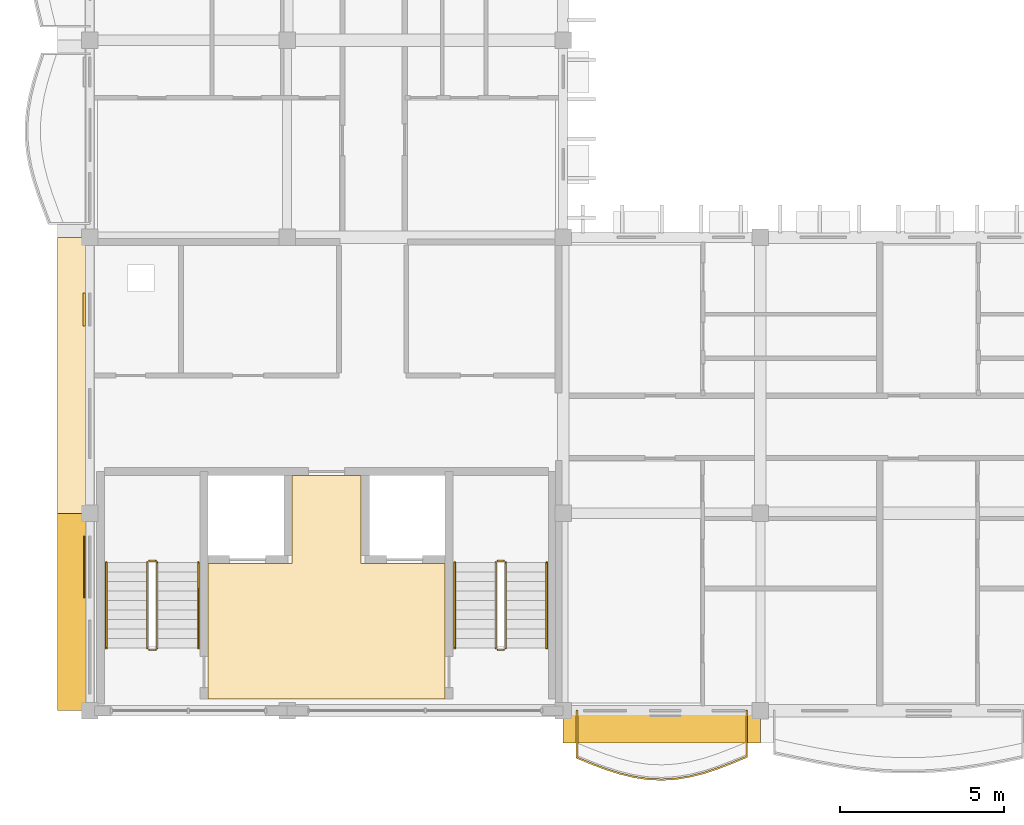
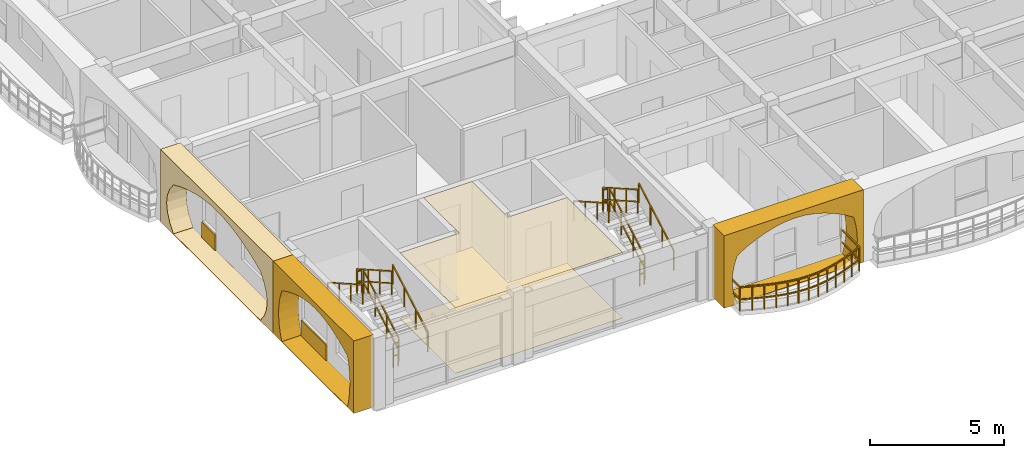
# One storey, part 39 of 66: 13 railings, 7 coverings.
"""IFC4 building model written with IfcOpenShell, lengths in metres."""

from ifc_helpers import new_model, si_unit, direction, frame, origin, origin_2d, place, context, subcontext, project, spatial, polyline, rectangle, outline, extrude, material, layer, layer_set, type_object, element, save


model = new_model("IFC4")

# Units and contexts
model_context = context("Model", 3, precision=1e-05, world=origin(), true_north=direction((0.0, 1.0)))
body_context = subcontext(model_context, "Body", "Model", "MODEL_VIEW")
ifc_project = project(units=[si_unit("LENGTHUNIT", "METRE"), si_unit("AREAUNIT", "SQUARE_METRE"), si_unit("VOLUMEUNIT", "CUBIC_METRE"), si_unit("PLANEANGLEUNIT", "RADIAN"), si_unit("MASSUNIT", "GRAM", prefix="KILO"), si_unit("THERMODYNAMICTEMPERATUREUNIT", "KELVIN")], contexts=[model_context])

# Site, building, storey
site_placement = place(None, origin())
site = spatial("IfcSite", under=ifc_project, at=site_placement, CompositionType="ELEMENT")
building_placement = place(site_placement, origin())
building = spatial("IfcBuilding", under=site, at=building_placement, Name="Thalorik Housing Commons", CompositionType="ELEMENT")
storey_placement = place(building_placement, frame((0.0, 0.0, 21.300048828125)))
storey = spatial("IfcBuildingStorey", under=building, at=storey_placement, Name="L06", CompositionType="ELEMENT", Elevation=21.300048828125)

# Coverings
ifc_material_1 = material(Name="Precast concrete C40/50", Category="concrete")
ifc_layer_1 = layer(ifc_material_1, 0.85009765625, Name="Precast concrete C40/50", Category="concrete")
ifc_layer_set_1 = layer_set([ifc_layer_1], Name="Precast concrete C40/50")
covering_type_1 = type_object("IfcCoveringType", Name="ARC-CLD-CUSH-850", PredefinedType="CLADDING", material=ifc_layer_set_1)
covering_1_placement = place(storey_placement, frame((7.844970703125, 18.60009765625, 0.0), z_axis=(0.0, 0.0, 1.0), x_axis=(0.0, -1.0, 0.0)))
element("IfcCovering", 1, at=covering_1_placement, inside=storey, type_object=covering_type_1, Name="L06 White Precast Curved Cushion Bay Frame 4085", PredefinedType="CLADDING", context=body_context, shape_type="SweptSolid", body=[
    extrude(outline(polyline([(-4.199951171875, 0.0), (4.199951171875, 0.0), (4.199951171875, 3.300048828125), (-4.199951171875, 3.300048828125), (-4.199951171875, 0.0)]), holes=[polyline([(3.239990234375, 0.02490234375), (3.523193359375, 0.3974609375), (3.693359375, 0.77001953125), (3.75, 1.142578125), (3.693359375, 1.514892578125), (3.523193359375, 1.887451171875), (3.239990234375, 2.260009765625), (2.699951171875, 2.497314453125), (2.159912109375, 2.683837890625), (1.6201171875, 2.8349609375), (1.080078125, 2.947265625), (0.5400390625, 3.0166015625), (0.0, 3.0400390625), (-0.5400390625, 3.0166015625), (-1.080078125, 2.947265625), (-1.6201171875, 2.8349609375), (-2.159912109375, 2.683837890625), (-2.699951171875, 2.497314453125), (-3.239990234375, 2.260009765625), (-3.523193359375, 1.887451171875), (-3.693359375, 1.514892578125), (-3.75, 1.142578125), (-3.693359375, 0.77001953125), (-3.523193359375, 0.3974609375), (-3.239990234375, 0.02490234375), (3.239990234375, 0.02490234375)])]), frame((0.0, 0.425048828125, 0.0), z_axis=(0.0, -1.0, 0.0), x_axis=(1.0, 0.0, 0.0)), (0.0, 0.0, 1.0), 0.85009765625),
])
covering_2_placement = place(storey_placement, frame((7.844970703125, 11.39990234375, 0.0), z_axis=(0.0, 0.0, 1.0), x_axis=(0.0, -1.0, 0.0)))
element("IfcCovering", 2, at=covering_2_placement, inside=storey, type_object=covering_type_1, Name="L06 White Precast Curved Cushion Bay Frame 4087", PredefinedType="CLADDING", context=body_context, shape_type="SweptSolid", body=[
    extrude(outline(polyline([(-3.0, 0.0), (3.0, 0.0), (3.0, 3.300048828125), (-3.0, 3.300048828125), (-3.0, 0.0)]), holes=[polyline([(2.5400390625, 0.02490234375), (2.63720703125, 0.410888671875), (2.6953125, 0.796630859375), (2.71484375, 1.1826171875), (2.6953125, 1.568359375), (2.63720703125, 1.9541015625), (2.5400390625, 2.340087890625), (2.131591796875, 2.552978515625), (1.723388671875, 2.720458984375), (1.31494140625, 2.85595703125), (0.90673828125, 2.956787109375), (0.498291015625, 3.01904296875), (0.090087890625, 3.0400390625), (-0.318359375, 3.01904296875), (-0.726806640625, 2.956787109375), (-1.135009765625, 2.85595703125), (-1.543212890625, 2.720458984375), (-1.95166015625, 2.552978515625), (-2.360107421875, 2.340087890625), (-2.4951171875, 1.9541015625), (-2.576171875, 1.568359375), (-2.603271484375, 1.1826171875), (-2.576171875, 0.796630859375), (-2.4951171875, 0.410888671875), (-2.360107421875, 0.02490234375), (2.5400390625, 0.02490234375)])]), frame((0.0, 0.425048828125, 0.0), z_axis=(0.0, -1.0, 0.0), x_axis=(1.0, 0.0, 0.0)), (0.0, 0.0, 1.0), 0.85009765625),
])
covering_3_placement = place(storey_placement, frame((25.800048828125, 7.844970703125, 0.0), z_axis=(0.0, 0.0, 1.0), x_axis=(1.0, 0.0, 0.0)))
element("IfcCovering", 3, at=covering_3_placement, inside=storey, type_object=covering_type_1, Name="L06 White Precast Curved Cushion Bay Frame 4089", PredefinedType="CLADDING", context=body_context, shape_type="SweptSolid", body=[
    extrude(outline(polyline([(-3.0, 0.0), (3.0, 0.0), (3.0, 3.300048828125), (-3.0, 3.300048828125), (-3.0, 0.0)]), holes=[polyline([(2.577392578125, 0.02490234375), (2.666748046875, 0.387451171875), (2.72021484375, 0.75), (2.738037109375, 1.112548828125), (2.72021484375, 1.47509765625), (2.666748046875, 1.83740234375), (2.577392578125, 2.199951171875), (2.16015625, 2.455810546875), (1.742919921875, 2.656494140625), (1.32568359375, 2.819091796875), (0.908203125, 2.940185546875), (0.490966796875, 3.014892578125), (0.07373046875, 3.0400390625), (-0.343505859375, 3.014892578125), (-0.7607421875, 2.940185546875), (-1.177978515625, 2.819091796875), (-1.595458984375, 2.656494140625), (-2.0126953125, 2.455810546875), (-2.429931640625, 2.199951171875), (-2.55029296875, 1.83740234375), (-2.62255859375, 1.47509765625), (-2.646484375, 1.112548828125), (-2.62255859375, 0.75), (-2.55029296875, 0.387451171875), (-2.429931640625, 0.02490234375), (2.577392578125, 0.02490234375)])]), frame((0.0, 0.425048828125, 0.0), z_axis=(0.0, -1.0, 0.0), x_axis=(1.0, 0.0, 0.0)), (0.0, 0.0, 1.0), 0.85009765625),
])
ifc_material_2 = material(Name="Terracotta red mineral fibre-cement panel", Category="masonry")
ifc_layer_2 = layer(ifc_material_2, 0.054931640625, Name="Terracotta red mineral fibre-cement panel", Category="masonry")
ifc_layer_set_2 = layer_set([ifc_layer_2], Name="Terracotta red mineral fibre-cement panel")
covering_type_2 = type_object("IfcCoveringType", Name="ARC-CLD-RED-55", PredefinedType="CLADDING", material=ifc_layer_set_2)
covering_4_placement = place(storey_placement, frame((8.237548828125, 12.77001953125, 0.0498046875), z_axis=(0.0, 0.0, 1.0), x_axis=(0.0, -1.0, 0.0)))
element("IfcCovering", 4, at=covering_4_placement, inside=storey, type_object=covering_type_2, Name="L06 De Stijl Recessed Window Spandrel 4088", PredefinedType="CLADDING", context=body_context, shape_type="SweptSolid", body=[
    extrude(rectangle(XDim=1.8798828125, YDim=0.054931640625, at=origin_2d()), origin(), (0.0, 0.0, 1.0), 0.699951171875),
])
ifc_material_3 = material(Name="Mineral ochre architectural terracotta panel", Category="masonry")
ifc_layer_3 = layer(ifc_material_3, 0.06494140625, Name="Mineral ochre architectural terracotta panel", Category="masonry")
ifc_layer_set_3 = layer_set([ifc_layer_3], Name="Mineral ochre architectural terracotta panel")
covering_type_3 = type_object("IfcCoveringType", Name="ARC-CLD-YEL-65", PredefinedType="CLADDING", material=ifc_layer_set_3)
covering_5_placement = place(storey_placement, frame((8.232421875, 20.60498046875, 0.0498046875), z_axis=(0.0, 0.0, 1.0), x_axis=(0.0, -1.0, 0.0)))
element("IfcCovering", 5, at=covering_5_placement, inside=storey, type_object=covering_type_3, Name="L06 De Stijl Recessed Window Spandrel 4086", PredefinedType="CLADDING", context=body_context, shape_type="SweptSolid", body=[
    extrude(rectangle(XDim=1.0, YDim=0.06494140625, at=origin_2d()), origin(), (0.0, 0.0, 1.0), 0.699951171875),
])
ifc_material_4 = material(Name="Perforated acoustic gypsum ceiling board")
ifc_layer_4 = layer(ifc_material_4, 0.014892578125, Name="Perforated acoustic gypsum ceiling board")
ifc_layer_set_4 = layer_set([ifc_layer_4], Name="Perforated acoustic gypsum ceiling board")
covering_type_4 = type_object("IfcCoveringType", Name="ARC-COV-CEIL-01", PredefinedType="CEILING", material=ifc_layer_set_4)
covering_6_placement = place(storey_placement, frame((0.0, 0.0, 2.98486328125)))
element("IfcCovering", 6, at=covering_6_placement, inside=storey, type_object=covering_type_4, Name="L06 Block C Firefighting Lift Lobby Suspended Ceiling", PredefinedType="CEILING", context=body_context, shape_type="SweptSolid", body=[
    extrude(outline(polyline([(12.0, 12.8798828125), (12.0, 8.75), (19.199951171875, 8.75), (19.199951171875, 12.8798828125), (16.64990234375, 12.880126953125), (16.64990234375, 15.550048828125), (14.550048828125, 15.550048828125), (14.550048828125, 12.8798828125), (12.0, 12.8798828125)])), origin(), (0.0, 0.0, 1.0), 0.01513671875),
])
ifc_material_5 = material(Name="Glazed Recife ceramic apartment floor tile")
ifc_layer_5 = layer(ifc_material_5, 0.011962890625, Name="Glazed Recife ceramic apartment floor tile")
ifc_layer_set_5 = layer_set([ifc_layer_5], Name="Glazed Recife ceramic apartment floor tile")
covering_type_5 = type_object("IfcCoveringType", Name="ARC-COV-FLR-01", PredefinedType="FLOORING", material=ifc_layer_set_5)
covering_7_placement = place(storey_placement, origin())
element("IfcCovering", 7, at=covering_7_placement, inside=storey, type_object=covering_type_5, Name="L06 Block C Firefighting Lift Lobby Flooring", PredefinedType="FLOORING", context=body_context, shape_type="SweptSolid", body=[
    extrude(outline(polyline([(12.0, 12.8798828125), (12.0, 8.75), (19.199951171875, 8.75), (19.199951171875, 12.8798828125), (16.64990234375, 12.880126953125), (16.64990234375, 15.550048828125), (14.550048828125, 15.550048828125), (14.550048828125, 12.8798828125), (12.0, 12.8798828125)])), origin(), (0.0, 0.0, 1.0), 0.011962890625),
])

# Railings
ifc_material_6 = material(Name="Steel S355", Category="steel")
railing_type_1 = type_object("IfcRailingType", Name="ARC-RL-BAL-112", PredefinedType="BALUSTRADE", material=ifc_material_6)
railing_1_placement = place(storey_placement, frame((23.219970703125, 8.39990234375, 0.0)))
element("IfcRailing", 8, at=railing_1_placement, inside=storey, type_object=railing_type_1, Name="L06 Cushion Balcony Guardrail 296", PredefinedType="BALUSTRADE", context=body_context, shape_type="SweptSolid", body=[
    extrude(rectangle(XDim=0.050048828125, YDim=0.050048828125, at=origin_2d()), frame((0.0, 0.0, 1.09521484375), z_axis=(0.0, -1.0, 0.0), x_axis=(1.0, 0.0, 0.0)), (0.0, 0.0, 1.0), 1.43359375),
    extrude(rectangle(XDim=0.050048828125, YDim=0.050048828125, at=origin_2d()), frame((0.0, 0.0, 0.53515625), z_axis=(0.0, -1.0, 0.0), x_axis=(1.0, 0.0, 0.0)), (0.0, 0.0, 1.0), 1.43359375),
    extrude(rectangle(XDim=0.050048828125, YDim=0.050048828125, at=origin_2d()), frame((0.0, -1.43359375, 1.09521484375), z_axis=(0.925438093791, -0.37889884476, 0.0), x_axis=(0.37889884476, 0.925438093791, 0.0)), (0.0, 0.0, 1.0), 0.464599609375),
    extrude(rectangle(XDim=0.050048828125, YDim=0.050048828125, at=origin_2d()), frame((0.0, -1.43359375, 0.53515625), z_axis=(0.925438093791, -0.37889884476, 0.0), x_axis=(0.37889884476, 0.925438093791, 0.0)), (0.0, 0.0, 1.0), 0.464599609375),
    extrude(rectangle(XDim=0.050048828125, YDim=0.050048828125, at=origin_2d()), frame((0.429931640625, -1.609619140625, 1.09521484375), z_axis=(0.93576050096, -0.352636193324, 0.0), x_axis=(0.352636193324, 0.93576050096, 0.0)), (0.0, 0.0, 1.0), 0.459716796875),
    extrude(rectangle(XDim=0.050048828125, YDim=0.050048828125, at=origin_2d()), frame((0.429931640625, -1.609619140625, 0.53515625), z_axis=(0.93576050096, -0.352636193324, 0.0), x_axis=(0.352636193324, 0.93576050096, 0.0)), (0.0, 0.0, 1.0), 0.459716796875),
    extrude(rectangle(XDim=0.050048828125, YDim=0.050048828125, at=origin_2d()), frame((0.860107421875, -1.771728515625, 1.09521484375), z_axis=(0.95219157684, -0.305501556453, 0.0), x_axis=(0.305501556453, 0.95219157684, 0.0)), (0.0, 0.0, 1.0), 0.451416015625),
    extrude(rectangle(XDim=0.050048828125, YDim=0.050048828125, at=origin_2d()), frame((0.860107421875, -1.771728515625, 0.53515625), z_axis=(0.95219157684, -0.305501556453, 0.0), x_axis=(0.305501556453, 0.95219157684, 0.0)), (0.0, 0.0, 1.0), 0.451416015625),
    extrude(rectangle(XDim=0.050048828125, YDim=0.050048828125, at=origin_2d()), frame((1.2900390625, -1.90966796875, 1.09521484375), z_axis=(0.971585356615, -0.236689448034, 0.0), x_axis=(0.236689448034, 0.971585356615, 0.0)), (0.0, 0.0, 1.0), 0.442626953125),
    extrude(rectangle(XDim=0.050048828125, YDim=0.050048828125, at=origin_2d()), frame((1.2900390625, -1.90966796875, 0.53515625), z_axis=(0.971585356615, -0.236689448034, 0.0), x_axis=(0.236689448034, 0.971585356615, 0.0)), (0.0, 0.0, 1.0), 0.442626953125),
    extrude(rectangle(XDim=0.050048828125, YDim=0.050048828125, at=origin_2d()), frame((1.719970703125, -2.014404296875, 1.09521484375), z_axis=(0.988961040609, -0.148175774529, 0.0), x_axis=(0.148175774529, 0.988961040609, 0.0)), (0.0, 0.0, 1.0), 0.43505859375),
    extrude(rectangle(XDim=0.050048828125, YDim=0.050048828125, at=origin_2d()), frame((1.719970703125, -2.014404296875, 0.53515625), z_axis=(0.988961040609, -0.148175774529, 0.0), x_axis=(0.148175774529, 0.988961040609, 0.0)), (0.0, 0.0, 1.0), 0.43505859375),
    extrude(rectangle(XDim=0.050048828125, YDim=0.050048828125, at=origin_2d()), frame((2.150146484375, -2.078857421875, 1.09521484375), z_axis=(0.998917635712, -0.046514052316, 0.0), x_axis=(0.046514052316, 0.998917635712, 0.0)), (0.0, 0.0, 1.0), 0.430419921875),
    extrude(rectangle(XDim=0.050048828125, YDim=0.050048828125, at=origin_2d()), frame((2.150146484375, -2.078857421875, 0.53515625), z_axis=(0.998917635712, -0.046514052316, 0.0), x_axis=(0.046514052316, 0.998917635712, 0.0)), (0.0, 0.0, 1.0), 0.430419921875),
    extrude(rectangle(XDim=0.050048828125, YDim=0.050048828125, at=origin_2d()), frame((2.580078125, -2.098876953125, 1.09521484375), z_axis=(0.998193305076, 0.0600843216, 0.0), x_axis=(-0.0600843216, 0.998193305076, 0.0)), (0.0, 0.0, 1.0), 0.4306640625),
    extrude(rectangle(XDim=0.050048828125, YDim=0.050048828125, at=origin_2d()), frame((2.580078125, -2.098876953125, 0.53515625), z_axis=(0.998193305076, 0.0600843216, 0.0), x_axis=(-0.0600843216, 0.998193305076, 0.0)), (0.0, 0.0, 1.0), 0.4306640625),
    extrude(rectangle(XDim=0.050048828125, YDim=0.050048828125, at=origin_2d()), frame((3.010009765625, -2.072998046875, 1.09521484375), z_axis=(0.986978315282, 0.160853365409, 0.0), x_axis=(-0.160853365409, 0.986978315282, 0.0)), (0.0, 0.0, 1.0), 0.435546875),
    extrude(rectangle(XDim=0.050048828125, YDim=0.050048828125, at=origin_2d()), frame((3.010009765625, -2.072998046875, 0.53515625), z_axis=(0.986978315282, 0.160853365409, 0.0), x_axis=(-0.160853365409, 0.986978315282, 0.0)), (0.0, 0.0, 1.0), 0.435546875),
    extrude(rectangle(XDim=0.050048828125, YDim=0.050048828125, at=origin_2d()), frame((3.43994140625, -2.0029296875, 1.09521484375), z_axis=(0.968900882262, 0.247449147002, 0.0), x_axis=(-0.247449147002, 0.968900882262, 0.0)), (0.0, 0.0, 1.0), 0.444091796875),
    extrude(rectangle(XDim=0.050048828125, YDim=0.050048828125, at=origin_2d()), frame((3.43994140625, -2.0029296875, 0.53515625), z_axis=(0.968900882262, 0.247449147002, 0.0), x_axis=(-0.247449147002, 0.968900882262, 0.0)), (0.0, 0.0, 1.0), 0.444091796875),
    extrude(rectangle(XDim=0.050048828125, YDim=0.050048828125, at=origin_2d()), frame((3.8701171875, -1.89306640625, 1.09521484375), z_axis=(0.949167275855, 0.314772111925, 0.0), x_axis=(-0.314772111925, 0.949167275855, 0.0)), (0.0, 0.0, 1.0), 0.452880859375),
    extrude(rectangle(XDim=0.050048828125, YDim=0.050048828125, at=origin_2d()), frame((3.8701171875, -1.89306640625, 0.53515625), z_axis=(0.949167275855, 0.314772111925, 0.0), x_axis=(-0.314772111925, 0.949167275855, 0.0)), (0.0, 0.0, 1.0), 0.452880859375),
    extrude(rectangle(XDim=0.050048828125, YDim=0.050048828125, at=origin_2d()), frame((4.300048828125, -1.75048828125, 1.09521484375), z_axis=(0.9328669237, 0.360221185756, 0.0), x_axis=(-0.360221185756, 0.9328669237, 0.0)), (0.0, 0.0, 1.0), 0.4609375),
    extrude(rectangle(XDim=0.050048828125, YDim=0.050048828125, at=origin_2d()), frame((4.300048828125, -1.75048828125, 0.53515625), z_axis=(0.9328669237, 0.360221185756, 0.0), x_axis=(-0.360221185756, 0.9328669237, 0.0)), (0.0, 0.0, 1.0), 0.4609375),
    extrude(rectangle(XDim=0.050048828125, YDim=0.050048828125, at=origin_2d()), frame((4.72998046875, -1.58447265625, 1.09521484375), z_axis=(0.923402379286, 0.383833356978, 0.0), x_axis=(-0.383833356978, 0.923402379286, 0.0)), (0.0, 0.0, 1.0), 0.465576171875),
    extrude(rectangle(XDim=0.050048828125, YDim=0.050048828125, at=origin_2d()), frame((4.72998046875, -1.58447265625, 0.53515625), z_axis=(0.923402379286, 0.383833356978, 0.0), x_axis=(-0.383833356978, 0.923402379286, 0.0)), (0.0, 0.0, 1.0), 0.465576171875),
    extrude(rectangle(XDim=0.050048828125, YDim=0.050048828125, at=origin_2d()), frame((5.159912109375, -1.40576171875, 1.09521484375), z_axis=(0.0, 1.0, 0.0), x_axis=(-1.0, 0.0, 0.0)), (0.0, 0.0, 1.0), 1.40576171875),
    extrude(rectangle(XDim=0.050048828125, YDim=0.050048828125, at=origin_2d()), frame((5.159912109375, -1.40576171875, 0.53515625), z_axis=(0.0, 1.0, 0.0), x_axis=(-1.0, 0.0, 0.0)), (0.0, 0.0, 1.0), 1.40576171875),
    extrude(rectangle(XDim=0.0419921875, YDim=0.0419921875, at=origin_2d()), origin(), (0.0, 0.0, 1.0), 1.070068359375),
    extrude(rectangle(XDim=0.0419921875, YDim=0.0419921875, at=origin_2d()), frame((0.0, -1.43359375, 0.0)), (0.0, 0.0, 1.0), 1.070068359375),
    extrude(rectangle(XDim=0.0419921875, YDim=0.0419921875, at=origin_2d()), frame((0.429931640625, -1.609619140625, 0.0)), (0.0, 0.0, 1.0), 1.070068359375),
    extrude(rectangle(XDim=0.0419921875, YDim=0.0419921875, at=origin_2d()), frame((0.860107421875, -1.771728515625, 0.0)), (0.0, 0.0, 1.0), 1.070068359375),
    extrude(rectangle(XDim=0.0419921875, YDim=0.0419921875, at=origin_2d()), frame((1.2900390625, -1.90966796875, 0.0)), (0.0, 0.0, 1.0), 1.070068359375),
    extrude(rectangle(XDim=0.0419921875, YDim=0.0419921875, at=origin_2d()), frame((1.719970703125, -2.014404296875, 0.0)), (0.0, 0.0, 1.0), 1.070068359375),
    extrude(rectangle(XDim=0.0419921875, YDim=0.0419921875, at=origin_2d()), frame((2.150146484375, -2.078857421875, 0.0)), (0.0, 0.0, 1.0), 1.070068359375),
    extrude(rectangle(XDim=0.0419921875, YDim=0.0419921875, at=origin_2d()), frame((2.580078125, -2.098876953125, 0.0)), (0.0, 0.0, 1.0), 1.070068359375),
    extrude(rectangle(XDim=0.0419921875, YDim=0.0419921875, at=origin_2d()), frame((3.010009765625, -2.072998046875, 0.0)), (0.0, 0.0, 1.0), 1.070068359375),
    extrude(rectangle(XDim=0.0419921875, YDim=0.0419921875, at=origin_2d()), frame((3.43994140625, -2.0029296875, 0.0)), (0.0, 0.0, 1.0), 1.070068359375),
    extrude(rectangle(XDim=0.0419921875, YDim=0.0419921875, at=origin_2d()), frame((3.8701171875, -1.89306640625, 0.0)), (0.0, 0.0, 1.0), 1.070068359375),
    extrude(rectangle(XDim=0.0419921875, YDim=0.0419921875, at=origin_2d()), frame((4.300048828125, -1.75048828125, 0.0)), (0.0, 0.0, 1.0), 1.070068359375),
    extrude(rectangle(XDim=0.0419921875, YDim=0.0419921875, at=origin_2d()), frame((4.72998046875, -1.58447265625, 0.0)), (0.0, 0.0, 1.0), 1.070068359375),
    extrude(rectangle(XDim=0.0419921875, YDim=0.0419921875, at=origin_2d()), frame((5.159912109375, -1.40576171875, 0.0)), (0.0, 0.0, 1.0), 1.070068359375),
    extrude(rectangle(XDim=0.0419921875, YDim=0.0419921875, at=origin_2d()), frame((5.159912109375, 0.0, 0.0)), (0.0, 0.0, 1.0), 1.070068359375),
])
railing_type_2 = type_object("IfcRailingType", Name="ARC-RL-STR-GRD110", PredefinedType="GUARDRAIL", material=ifc_material_6)
railing_2_placement = place(storey_placement, frame((10.449951171875, 10.300048828125, 0.1650390625)))
element("IfcRailing", 9, at=railing_2_placement, inside=storey, type_object=railing_type_2, Name="L06 ST-C1 stair guard 1", PredefinedType="GUARDRAIL", context=body_context, shape_type="SweptSolid", body=[
    extrude(rectangle(XDim=0.048095703125, YDim=0.048095703125, at=origin_2d()), frame((0.0, 0.0, 1.076171875), z_axis=(0.0, 0.869172267526, 0.494509422927), x_axis=(-1.0, 0.0, 0.0)), (0.0, 0.0, 1.0), 3.002685546875),
    extrude(rectangle(XDim=0.048095703125, YDim=0.048095703125, at=origin_2d()), frame((0.0, 0.0, 0.52587890625), z_axis=(0.0, 0.869172267526, 0.494509422927), x_axis=(-1.0, 0.0, 0.0)), (0.0, 0.0, 1.0), 3.002685546875),
    extrude(rectangle(XDim=0.0419921875, YDim=0.0419921875, at=origin_2d()), origin(), (0.0, 0.0, 1.0), 1.052001953125),
    extrude(rectangle(XDim=0.0419921875, YDim=0.0419921875, at=origin_2d()), frame((0.0, 0.869873046875, 0.494873046875)), (0.0, 0.0, 1.0), 1.052001953125),
    extrude(rectangle(XDim=0.0419921875, YDim=0.0419921875, at=origin_2d()), frame((0.0, 1.739990234375, 0.989990234375)), (0.0, 0.0, 1.0), 1.052001953125),
    extrude(rectangle(XDim=0.0419921875, YDim=0.0419921875, at=origin_2d()), frame((0.0, 2.60986328125, 1.48486328125)), (0.0, 0.0, 1.0), 1.052001953125),
])
railing_3_placement = place(storey_placement, frame((10.39990234375, 12.9599609375, 1.64990234375)))
element("IfcRailing", 10, at=railing_3_placement, inside=storey, type_object=railing_type_2, Name="L06 ST-C1 stair guard 2", PredefinedType="GUARDRAIL", context=body_context, shape_type="SweptSolid", body=[
    extrude(rectangle(XDim=0.048095703125, YDim=0.048095703125, at=origin_2d()), frame((0.0, 0.0, 1.076171875), z_axis=(-1.0, 0.0, 0.0), x_axis=(0.0, -1.0, 0.0)), (0.0, 0.0, 1.0), 0.199951171875),
    extrude(rectangle(XDim=0.048095703125, YDim=0.048095703125, at=origin_2d()), frame((0.0, 0.0, 0.52587890625), z_axis=(-1.0, 0.0, 0.0), x_axis=(0.0, -1.0, 0.0)), (0.0, 0.0, 1.0), 0.199951171875),
    extrude(rectangle(XDim=0.0419921875, YDim=0.0419921875, at=origin_2d()), origin(), (0.0, 0.0, 1.0), 1.052001953125),
    extrude(rectangle(XDim=0.0419921875, YDim=0.0419921875, at=origin_2d()), frame((-0.199951171875, 0.0, 0.0)), (0.0, 0.0, 1.0), 1.052001953125),
])
railing_4_placement = place(storey_placement, frame((10.14990234375, 12.909912109375, 1.81494140625)))
element("IfcRailing", 11, at=railing_4_placement, inside=storey, type_object=railing_type_2, Name="L06 ST-C1 stair guard 3", PredefinedType="GUARDRAIL", context=body_context, shape_type="SweptSolid", body=[
    extrude(rectangle(XDim=0.048095703125, YDim=0.048095703125, at=origin_2d()), frame((0.0, 0.0, 1.076171875), z_axis=(0.0, -0.869137319866, 0.494570843475), x_axis=(1.0, 0.0, 0.0)), (0.0, 0.0, 1.0), 3.0029296875),
    extrude(rectangle(XDim=0.048095703125, YDim=0.048095703125, at=origin_2d()), frame((0.0, 0.0, 0.52587890625), z_axis=(0.0, -0.869137319866, 0.494570843475), x_axis=(1.0, 0.0, 0.0)), (0.0, 0.0, 1.0), 3.0029296875),
    extrude(rectangle(XDim=0.0419921875, YDim=0.0419921875, at=origin_2d()), origin(), (0.0, 0.0, 1.0), 1.052001953125),
    extrude(rectangle(XDim=0.0419921875, YDim=0.0419921875, at=origin_2d()), frame((0.0, -0.869873046875, 0.4951171875)), (0.0, 0.0, 1.0), 1.052001953125),
    extrude(rectangle(XDim=0.0419921875, YDim=0.0419921875, at=origin_2d()), frame((0.0, -1.739990234375, 0.989990234375)), (0.0, 0.0, 1.0), 1.052001953125),
    extrude(rectangle(XDim=0.0419921875, YDim=0.0419921875, at=origin_2d()), frame((0.0, -2.60986328125, 1.485107421875)), (0.0, 0.0, 1.0), 1.052001953125),
])
railing_5_placement = place(storey_placement, frame((10.39990234375, 10.25, 0.0)))
element("IfcRailing", 12, at=railing_5_placement, inside=storey, type_object=railing_type_2, Name="L06 ST-C1 stair guard 4", PredefinedType="GUARDRAIL", context=body_context, shape_type="SweptSolid", body=[
    extrude(rectangle(XDim=0.048095703125, YDim=0.048095703125, at=origin_2d()), frame((0.0, 0.0, 1.076171875), z_axis=(-1.0, 0.0, 0.0), x_axis=(0.0, -1.0, 0.0)), (0.0, 0.0, 1.0), 0.199951171875),
    extrude(rectangle(XDim=0.048095703125, YDim=0.048095703125, at=origin_2d()), frame((0.0, 0.0, 0.52587890625), z_axis=(-1.0, 0.0, 0.0), x_axis=(0.0, -1.0, 0.0)), (0.0, 0.0, 1.0), 0.199951171875),
    extrude(rectangle(XDim=0.0419921875, YDim=0.0419921875, at=origin_2d()), origin(), (0.0, 0.0, 1.0), 1.052001953125),
    extrude(rectangle(XDim=0.0419921875, YDim=0.0419921875, at=origin_2d()), frame((-0.199951171875, 0.0, 0.0)), (0.0, 0.0, 1.0), 1.052001953125),
])
railing_6_placement = place(storey_placement, frame((21.050048828125, 10.300048828125, 0.1650390625)))
element("IfcRailing", 13, at=railing_6_placement, inside=storey, type_object=railing_type_2, Name="L06 ST-C2 stair guard 1", PredefinedType="GUARDRAIL", context=body_context, shape_type="SweptSolid", body=[
    extrude(rectangle(XDim=0.048095703125, YDim=0.048095703125, at=origin_2d()), frame((0.0, 0.0, 1.076171875), z_axis=(0.0, 0.869172267526, 0.494509422927), x_axis=(-1.0, 0.0, 0.0)), (0.0, 0.0, 1.0), 3.002685546875),
    extrude(rectangle(XDim=0.048095703125, YDim=0.048095703125, at=origin_2d()), frame((0.0, 0.0, 0.52587890625), z_axis=(0.0, 0.869172267526, 0.494509422927), x_axis=(-1.0, 0.0, 0.0)), (0.0, 0.0, 1.0), 3.002685546875),
    extrude(rectangle(XDim=0.0419921875, YDim=0.0419921875, at=origin_2d()), origin(), (0.0, 0.0, 1.0), 1.052001953125),
    extrude(rectangle(XDim=0.0419921875, YDim=0.0419921875, at=origin_2d()), frame((0.0, 0.869873046875, 0.494873046875)), (0.0, 0.0, 1.0), 1.052001953125),
    extrude(rectangle(XDim=0.0419921875, YDim=0.0419921875, at=origin_2d()), frame((0.0, 1.739990234375, 0.989990234375)), (0.0, 0.0, 1.0), 1.052001953125),
    extrude(rectangle(XDim=0.0419921875, YDim=0.0419921875, at=origin_2d()), frame((0.0, 2.60986328125, 1.48486328125)), (0.0, 0.0, 1.0), 1.052001953125),
])
railing_7_placement = place(storey_placement, frame((21.0, 12.9599609375, 1.64990234375)))
element("IfcRailing", 14, at=railing_7_placement, inside=storey, type_object=railing_type_2, Name="L06 ST-C2 stair guard 2", PredefinedType="GUARDRAIL", context=body_context, shape_type="SweptSolid", body=[
    extrude(rectangle(XDim=0.048095703125, YDim=0.048095703125, at=origin_2d()), frame((0.0, 0.0, 1.076171875), z_axis=(-1.0, 0.0, 0.0), x_axis=(0.0, -1.0, 0.0)), (0.0, 0.0, 1.0), 0.199951171875),
    extrude(rectangle(XDim=0.048095703125, YDim=0.048095703125, at=origin_2d()), frame((0.0, 0.0, 0.52587890625), z_axis=(-1.0, 0.0, 0.0), x_axis=(0.0, -1.0, 0.0)), (0.0, 0.0, 1.0), 0.199951171875),
    extrude(rectangle(XDim=0.0419921875, YDim=0.0419921875, at=origin_2d()), origin(), (0.0, 0.0, 1.0), 1.052001953125),
    extrude(rectangle(XDim=0.0419921875, YDim=0.0419921875, at=origin_2d()), frame((-0.199951171875, 0.0, 0.0)), (0.0, 0.0, 1.0), 1.052001953125),
])
railing_8_placement = place(storey_placement, frame((20.75, 12.909912109375, 1.81494140625)))
element("IfcRailing", 15, at=railing_8_placement, inside=storey, type_object=railing_type_2, Name="L06 ST-C2 stair guard 3", PredefinedType="GUARDRAIL", context=body_context, shape_type="SweptSolid", body=[
    extrude(rectangle(XDim=0.048095703125, YDim=0.048095703125, at=origin_2d()), frame((0.0, 0.0, 1.076171875), z_axis=(0.0, -0.869137319866, 0.494570843475), x_axis=(1.0, 0.0, 0.0)), (0.0, 0.0, 1.0), 3.0029296875),
    extrude(rectangle(XDim=0.048095703125, YDim=0.048095703125, at=origin_2d()), frame((0.0, 0.0, 0.52587890625), z_axis=(0.0, -0.869137319866, 0.494570843475), x_axis=(1.0, 0.0, 0.0)), (0.0, 0.0, 1.0), 3.0029296875),
    extrude(rectangle(XDim=0.0419921875, YDim=0.0419921875, at=origin_2d()), origin(), (0.0, 0.0, 1.0), 1.052001953125),
    extrude(rectangle(XDim=0.0419921875, YDim=0.0419921875, at=origin_2d()), frame((0.0, -0.869873046875, 0.4951171875)), (0.0, 0.0, 1.0), 1.052001953125),
    extrude(rectangle(XDim=0.0419921875, YDim=0.0419921875, at=origin_2d()), frame((0.0, -1.739990234375, 0.989990234375)), (0.0, 0.0, 1.0), 1.052001953125),
    extrude(rectangle(XDim=0.0419921875, YDim=0.0419921875, at=origin_2d()), frame((0.0, -2.60986328125, 1.485107421875)), (0.0, 0.0, 1.0), 1.052001953125),
])
railing_9_placement = place(storey_placement, frame((21.0, 10.25, 0.0)))
element("IfcRailing", 16, at=railing_9_placement, inside=storey, type_object=railing_type_2, Name="L06 ST-C2 stair guard 4", PredefinedType="GUARDRAIL", context=body_context, shape_type="SweptSolid", body=[
    extrude(rectangle(XDim=0.048095703125, YDim=0.048095703125, at=origin_2d()), frame((0.0, 0.0, 1.076171875), z_axis=(-1.0, 0.0, 0.0), x_axis=(0.0, -1.0, 0.0)), (0.0, 0.0, 1.0), 0.199951171875),
    extrude(rectangle(XDim=0.048095703125, YDim=0.048095703125, at=origin_2d()), frame((0.0, 0.0, 0.52587890625), z_axis=(-1.0, 0.0, 0.0), x_axis=(0.0, -1.0, 0.0)), (0.0, 0.0, 1.0), 0.199951171875),
    extrude(rectangle(XDim=0.0419921875, YDim=0.0419921875, at=origin_2d()), origin(), (0.0, 0.0, 1.0), 1.052001953125),
    extrude(rectangle(XDim=0.0419921875, YDim=0.0419921875, at=origin_2d()), frame((-0.199951171875, 0.0, 0.0)), (0.0, 0.0, 1.0), 1.052001953125),
])
railing_type_3 = type_object("IfcRailingType", Name="ARC-RL-STR-HR092", PredefinedType="HANDRAIL", material=ifc_material_6)
railing_10_placement = place(storey_placement, frame((11.699951171875, 10.300048828125, 0.1650390625)))
element("IfcRailing", 17, at=railing_10_placement, inside=storey, type_object=railing_type_3, Name="L06 ST-C1 stair handrail 1", PredefinedType="HANDRAIL", context=body_context, shape_type="SweptSolid", body=[
    extrude(rectangle(XDim=0.048095703125, YDim=0.048095703125, at=origin_2d()), frame((0.0, 0.0, 0.89599609375), z_axis=(0.0, 0.869172267526, 0.494509422927), x_axis=(-1.0, 0.0, 0.0)), (0.0, 0.0, 1.0), 3.002685546875),
    extrude(rectangle(XDim=0.0419921875, YDim=0.0419921875, at=origin_2d()), origin(), (0.0, 0.0, 1.0), 0.871826171875),
    extrude(rectangle(XDim=0.0419921875, YDim=0.0419921875, at=origin_2d()), frame((0.0, 0.869873046875, 0.494873046875)), (0.0, 0.0, 1.0), 0.871826171875),
    extrude(rectangle(XDim=0.0419921875, YDim=0.0419921875, at=origin_2d()), frame((0.0, 1.739990234375, 0.989990234375)), (0.0, 0.0, 1.0), 0.871826171875),
    extrude(rectangle(XDim=0.0419921875, YDim=0.0419921875, at=origin_2d()), frame((0.0, 2.60986328125, 1.48486328125)), (0.0, 0.0, 1.0), 0.871826171875),
])
railing_11_placement = place(storey_placement, frame((8.89990234375, 12.909912109375, 1.81494140625)))
element("IfcRailing", 18, at=railing_11_placement, inside=storey, type_object=railing_type_3, Name="L06 ST-C1 stair handrail 2", PredefinedType="HANDRAIL", context=body_context, shape_type="SweptSolid", body=[
    extrude(rectangle(XDim=0.048095703125, YDim=0.048095703125, at=origin_2d()), frame((0.0, 0.0, 0.89599609375), z_axis=(0.0, -0.869137319866, 0.494570843475), x_axis=(1.0, 0.0, 0.0)), (0.0, 0.0, 1.0), 3.0029296875),
    extrude(rectangle(XDim=0.0419921875, YDim=0.0419921875, at=origin_2d()), origin(), (0.0, 0.0, 1.0), 0.871826171875),
    extrude(rectangle(XDim=0.0419921875, YDim=0.0419921875, at=origin_2d()), frame((0.0, -0.869873046875, 0.4951171875)), (0.0, 0.0, 1.0), 0.871826171875),
    extrude(rectangle(XDim=0.0419921875, YDim=0.0419921875, at=origin_2d()), frame((0.0, -1.739990234375, 0.989990234375)), (0.0, 0.0, 1.0), 0.871826171875),
    extrude(rectangle(XDim=0.0419921875, YDim=0.0419921875, at=origin_2d()), frame((0.0, -2.60986328125, 1.485107421875)), (0.0, 0.0, 1.0), 0.871826171875),
])
railing_12_placement = place(storey_placement, frame((22.300048828125, 10.300048828125, 0.1650390625)))
element("IfcRailing", 19, at=railing_12_placement, inside=storey, type_object=railing_type_3, Name="L06 ST-C2 stair handrail 1", PredefinedType="HANDRAIL", context=body_context, shape_type="SweptSolid", body=[
    extrude(rectangle(XDim=0.048095703125, YDim=0.048095703125, at=origin_2d()), frame((0.0, 0.0, 0.89599609375), z_axis=(0.0, 0.869172267526, 0.494509422927), x_axis=(-1.0, 0.0, 0.0)), (0.0, 0.0, 1.0), 3.002685546875),
    extrude(rectangle(XDim=0.0419921875, YDim=0.0419921875, at=origin_2d()), origin(), (0.0, 0.0, 1.0), 0.871826171875),
    extrude(rectangle(XDim=0.0419921875, YDim=0.0419921875, at=origin_2d()), frame((0.0, 0.869873046875, 0.494873046875)), (0.0, 0.0, 1.0), 0.871826171875),
    extrude(rectangle(XDim=0.0419921875, YDim=0.0419921875, at=origin_2d()), frame((0.0, 1.739990234375, 0.989990234375)), (0.0, 0.0, 1.0), 0.871826171875),
    extrude(rectangle(XDim=0.0419921875, YDim=0.0419921875, at=origin_2d()), frame((0.0, 2.60986328125, 1.48486328125)), (0.0, 0.0, 1.0), 0.871826171875),
])
railing_13_placement = place(storey_placement, frame((19.5, 12.909912109375, 1.81494140625)))
element("IfcRailing", 20, at=railing_13_placement, inside=storey, type_object=railing_type_3, Name="L06 ST-C2 stair handrail 2", PredefinedType="HANDRAIL", context=body_context, shape_type="SweptSolid", body=[
    extrude(rectangle(XDim=0.048095703125, YDim=0.048095703125, at=origin_2d()), frame((0.0, 0.0, 0.89599609375), z_axis=(0.0, -0.869137319866, 0.494570843475), x_axis=(1.0, 0.0, 0.0)), (0.0, 0.0, 1.0), 3.0029296875),
    extrude(rectangle(XDim=0.0419921875, YDim=0.0419921875, at=origin_2d()), origin(), (0.0, 0.0, 1.0), 0.871826171875),
    extrude(rectangle(XDim=0.0419921875, YDim=0.0419921875, at=origin_2d()), frame((0.0, -0.869873046875, 0.4951171875)), (0.0, 0.0, 1.0), 0.871826171875),
    extrude(rectangle(XDim=0.0419921875, YDim=0.0419921875, at=origin_2d()), frame((0.0, -1.739990234375, 0.989990234375)), (0.0, 0.0, 1.0), 0.871826171875),
    extrude(rectangle(XDim=0.0419921875, YDim=0.0419921875, at=origin_2d()), frame((0.0, -2.60986328125, 1.485107421875)), (0.0, 0.0, 1.0), 0.871826171875),
])

save(model, "model.ifc")
